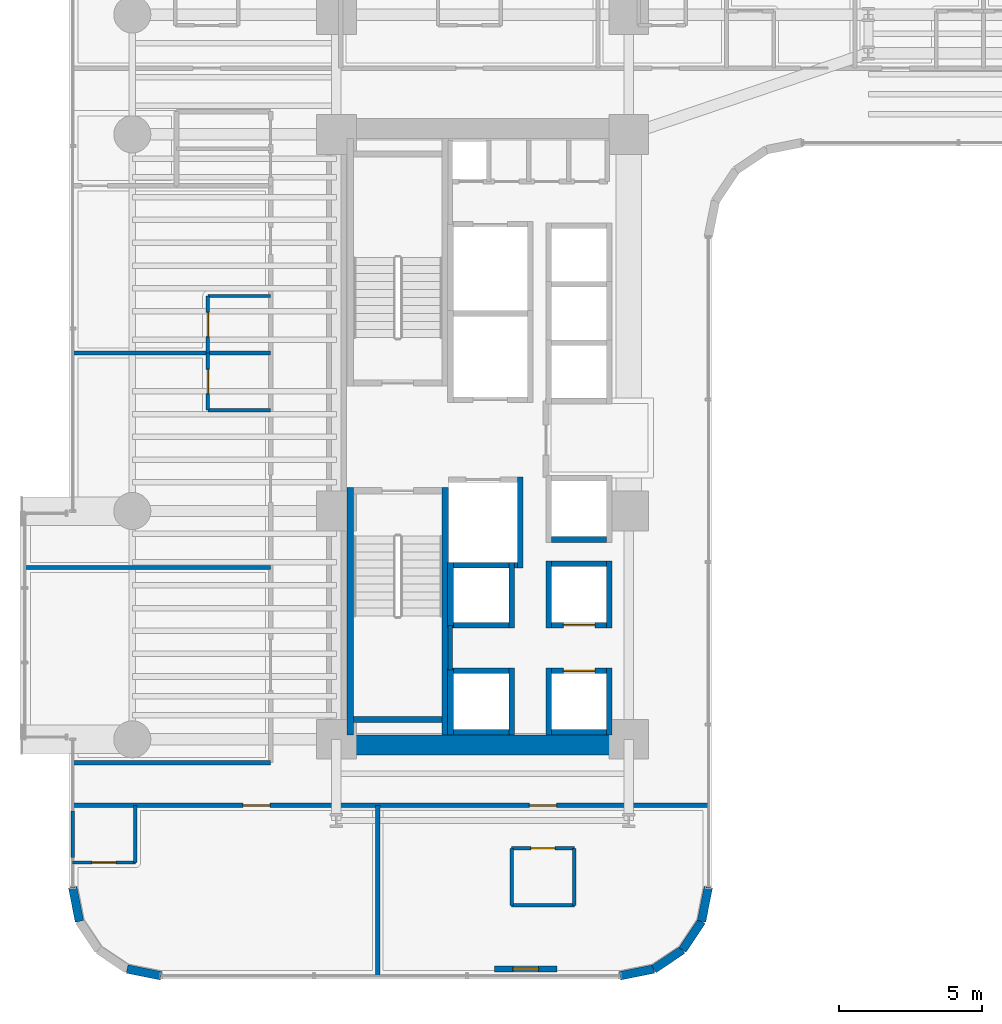
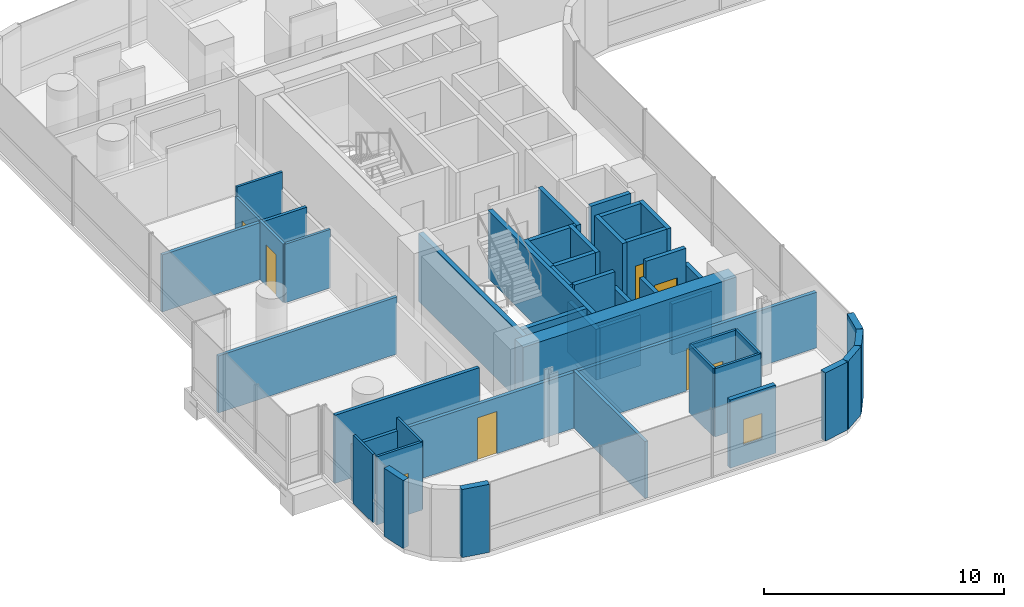
# One storey, part 30 of 40: 46 walls, 8 doors, 1 window, 9 openings.
"""IFC4 building model written with IfcOpenShell, lengths in metres."""

from ifc_helpers import new_model, si_unit, direction, frame, frame_2d, origin, place, context, subcontext, project, spatial, rectangle, extrude, material, layer, layer_set, type_object, element, fill, save


model = new_model("IFC4")

# Units and contexts
model_context = context("Model", 3, precision=1e-05, world=origin(), true_north=direction((0.0, 1.0)))
body_context = subcontext(model_context, "Body", "Model", "MODEL_VIEW")
ifc_project = project(units=[si_unit("LENGTHUNIT", "METRE"), si_unit("AREAUNIT", "SQUARE_METRE"), si_unit("VOLUMEUNIT", "CUBIC_METRE"), si_unit("PLANEANGLEUNIT", "RADIAN"), si_unit("MASSUNIT", "GRAM", prefix="KILO")], contexts=[model_context])

# Site, building, storey
site_placement = place(None, origin())
site = spatial("IfcSite", under=ifc_project, at=site_placement, CompositionType="ELEMENT")
building_placement = place(site_placement, origin())
building = spatial("IfcBuilding", under=site, at=building_placement, Name="Valdorenza Pilgrim Sanctuary Tower", CompositionType="ELEMENT")
storey_placement = place(building_placement, frame((0.0, 0.0, 92.60009765625)))
storey = spatial("IfcBuildingStorey", under=building, at=storey_placement, Name="L23", CompositionType="ELEMENT", Elevation=92.60009765625)

# Wall
ifc_material_1 = material(Name="Acoustic twin-stud gypsum partition", Category="gypsum")
ifc_layer_1 = layer(ifc_material_1, 0.159912109375, Name="Acoustic twin-stud gypsum partition")
ifc_layer_set_1 = layer_set([ifc_layer_1], Name="Acoustic twin-stud gypsum partition")
wall_type_1 = type_object("IfcWallType", Name="WAL-COR-160", PredefinedType="PARTITIONING", material=ifc_layer_set_1)
wall_1_placement = place(storey_placement, frame((-18.64990234375, -8.179931640625, 0.0), z_axis=(0.0, 0.0, 1.0), x_axis=(0.0, 1.0, 0.0)))
element("IfcWall", 1, at=wall_1_placement, inside=storey, type_object=wall_type_1, Name="L23 Core A South Lift Hall West Wall", PredefinedType="PARTITIONING", context=body_context, shape_type="SweptSolid", body=[
    extrude(rectangle(XDim=1.559814453125, YDim=0.159912109375, at=frame_2d((0.77978515625, 0.0))), origin(), (0.0, 0.0, 1.0), 3.4599609375),
])

# Wall, openings, doors
wall_2_placement = place(storey_placement, frame((-31.889892578125, -12.919921875, 0.0), z_axis=(0.0, 0.0, 1.0), x_axis=(1.0, 0.0, 0.0)))
wall_2 = element("IfcWall", 2, at=wall_2_placement, inside=storey, type_object=wall_type_1, Name="L23 South Wing Corridor Wall", PredefinedType="PARTITIONING", context=body_context, shape_type="SweptSolid", body=[
    extrude(rectangle(XDim=22.27978515625, YDim=0.159912109375, at=frame_2d((11.139892578125, 0.0))), origin(), (0.0, 0.0, 1.0), 2.833984375),
])
opening_1_placement = place(wall_2_placement, frame((5.969970703125, 0.0, 0.0)))
opening_1 = element("IfcOpeningElement", 3, at=opening_1_placement, cuts=wall_2, Name="Opening DR-UN1", PredefinedType="OPENING", context=body_context, shape_type="SweptSolid", body=[
    extrude(rectangle(XDim=0.949951171875, YDim=2.14990234375, at=frame_2d((0.47509765625, 1.074951171875))), frame((0.0, 0.0947265625, 0.0), z_axis=(0.0, -1.0, 0.0), x_axis=(1.0, 0.0, 0.0)), (0.0, 0.0, 1.0), 0.189697265625),
])
opening_2_placement = place(wall_2_placement, frame((16.010009765625, 0.0, 0.0)))
opening_2 = element("IfcOpeningElement", 4, at=opening_2_placement, cuts=wall_2, Name="Opening DR-UN1", PredefinedType="OPENING", context=body_context, shape_type="SweptSolid", body=[
    extrude(rectangle(XDim=0.949951171875, YDim=2.14990234375, at=frame_2d((0.47509765625, 1.074951171875))), frame((0.0, 0.0947265625, 0.0), z_axis=(0.0, -1.0, 0.0), x_axis=(1.0, 0.0, 0.0)), (0.0, 0.0, 1.0), 0.189697265625),
])
ifc_material_2 = material(Name="Solid-core European oak timber", Category="wood")
door_type_1 = type_object("IfcDoorType", Name="DR-UNIT-950", OperationType="NOTDEFINED", PredefinedType="DOOR", material=ifc_material_2)
door_1_placement = place(opening_1_placement, frame((0.949951171875, 0.0, 0.0), z_axis=(0.0, 0.0, 1.0), x_axis=(-1.0, 0.0, 0.0)))
door_1 = element("IfcDoor", 5, at=door_1_placement, inside=storey, type_object=door_type_1, Name="L23 South Guest Room L23-S1 Entrance Door", OperationType="SINGLE_SWING_LEFT", OverallHeight=2.14990234375, OverallWidth=0.949951171875, PredefinedType="DOOR", context=body_context, shape_type="SweptSolid", body=[
    extrude(rectangle(XDim=0.949951171875, YDim=2.14990234375, at=frame_2d((0.47509765625, 1.074951171875))), frame((0.0, 0.02490234375, 0.0), z_axis=(0.0, -1.0, 0.0), x_axis=(1.0, 0.0, 0.0)), (0.0, 0.0, 1.0), 0.050048828125),
])
fill(opening_1, door_1)
door_2_placement = place(opening_2_placement, frame((0.949951171875, 0.0, 0.0), z_axis=(0.0, 0.0, 1.0), x_axis=(-1.0, 0.0, 0.0)))
door_2 = element("IfcDoor", 6, at=door_2_placement, inside=storey, type_object=door_type_1, Name="L23 South Guest Room L23-S2 Entrance Door", OperationType="SINGLE_SWING_LEFT", OverallHeight=2.14990234375, OverallWidth=0.949951171875, PredefinedType="DOOR", context=body_context, shape_type="SweptSolid", body=[
    extrude(rectangle(XDim=0.949951171875, YDim=2.14990234375, at=frame_2d((0.47509765625, 1.074951171875))), frame((0.0, 0.02490234375, 0.0), z_axis=(0.0, -1.0, 0.0), x_axis=(1.0, 0.0, 0.0)), (0.0, 0.0, 1.0), 0.050048828125),
])
fill(opening_2, door_2)

# Walls
wall_3_placement = place(storey_placement, frame((-31.889892578125, -11.419921875, 0.0), z_axis=(0.0, 0.0, 1.0), x_axis=(1.0, 0.0, 0.0)))
element("IfcWall", 7, at=wall_3_placement, inside=storey, type_object=wall_type_1, Name="L23 South-West Corridor North Wall", PredefinedType="PARTITIONING", context=body_context, shape_type="SweptSolid", body=[
    extrude(rectangle(XDim=6.93994140625, YDim=0.159912109375, at=frame_2d((3.469970703125, 0.0))), origin(), (0.0, 0.0, 1.0), 3.4599609375),
])
ifc_material_3 = material(Name="Concrete C60/75", Category="concrete")
ifc_layer_2 = layer(ifc_material_3, 0.699951171875, Name="Concrete C60/75")
ifc_layer_set_2 = layer_set([ifc_layer_2], Name="Concrete C60/75")
wall_type_2 = type_object("IfcWallType", Name="WAL-COR-700", PredefinedType="SHEAR", material=ifc_layer_set_2)
wall_4_placement = place(storey_placement, frame((-22.64990234375, -10.800048828125, 0.0), z_axis=(0.0, 0.0, 1.0), x_axis=(1.0, 0.0, 0.0)))
element("IfcWall", 8, at=wall_4_placement, inside=storey, type_object=wall_type_2, Name="L23 Split Core A Shear Wall S", PredefinedType="SHEAR", context=body_context, shape_type="SweptSolid", body=[
    extrude(rectangle(XDim=10.25, YDim=0.699951171875, at=frame_2d((5.125, 0.0))), origin(), (0.0, 0.0, 1.0), 3.4599609375),
])
ifc_material_4 = material(Name="Honed travertine limestone", Category="masonry")
ifc_layer_3 = layer(ifc_material_4, 0.300048828125, Name="Honed travertine limestone")
ifc_layer_set_3 = layer_set([ifc_layer_3], Name="Honed travertine limestone")
wall_type_3 = type_object("IfcWallType", Name="WAL-EXT-300", PredefinedType="SOLIDWALL", material=ifc_layer_set_3)
wall_5_placement = place(storey_placement, frame((-9.610107421875, -15.789306640625, 0.0), z_axis=(0.0, 0.0, 1.0), x_axis=(-0.194996050505, -0.980804027463, 0.0)))
element("IfcWall", 9, at=wall_5_placement, inside=storey, type_object=wall_type_3, Name="L23 Rounded Wind-Corner Stone Pier 42", PredefinedType="SOLIDWALL", context=body_context, shape_type="SweptSolid", body=[
    extrude(rectangle(XDim=1.2158203125, YDim=0.300048828125, at=frame_2d((0.60791015625, 0.0))), origin(), (0.0, 0.0, 1.0), 3.4599609375),
])
for number, where, z_axis, x_axis, name in (
    (10, (-9.84716796875, -16.981689453125, 0.0), (0.0, 0.0, 1.0), (-0.555635100982, -0.831426265255, 0.0), "L23 Rounded Wind-Corner Stone Pier 43"),
    (11, (-10.5166015625, -17.9833984375, 0.0), (0.0, 0.0, 1.0), (-0.831426265255, -0.555635100982, 0.0), "L23 Rounded Wind-Corner Stone Pier 44"),
):
    element("IfcWall", number, at=place(storey_placement, frame(where, z_axis=z_axis, x_axis=x_axis)), inside=storey, type_object=wall_type_3, Name=name, PredefinedType="SOLIDWALL", context=body_context, shape_type="SweptSolid", body=[
        extrude(rectangle(XDim=1.204833984375, YDim=0.300048828125, at=frame_2d((0.6025390625, 0.0))), origin(), (0.0, 0.0, 1.0), 3.4599609375),
    ])
wall_6_placement = place(storey_placement, frame((-11.518310546875, -18.65283203125, 0.0), z_axis=(0.0, 0.0, 1.0), x_axis=(-0.980804027463, -0.194996050505, 0.0)))
element("IfcWall", 12, at=wall_6_placement, inside=storey, type_object=wall_type_3, Name="L23 Rounded Wind-Corner Stone Pier 45", PredefinedType="SOLIDWALL", context=body_context, shape_type="SweptSolid", body=[
    extrude(rectangle(XDim=1.2158203125, YDim=0.300048828125, at=frame_2d((0.60791015625, 0.0))), origin(), (0.0, 0.0, 1.0), 3.4599609375),
])

# Wall, opening, window
wall_7_placement = place(storey_placement, frame((-14.910888671875, -18.64990234375, 0.0), z_axis=(0.0, 0.0, 1.0), x_axis=(-1.0, 0.0, 0.0)))
wall_7 = element("IfcWall", 13, at=wall_7_placement, inside=storey, type_object=wall_type_3, Name="L23 Operable Ventilation Sash Jamb Pier", PredefinedType="SOLIDWALL", context=body_context, shape_type="SweptSolid", body=[
    extrude(rectangle(XDim=2.199951171875, YDim=0.219970703125, at=frame_2d((1.10009765625, 0.0))), origin(), (0.0, 0.0, 1.0), 3.4599609375),
])
opening_3_placement = place(wall_7_placement, frame((0.64990234375, 0.0, 0.949951171875)))
opening_3 = element("IfcOpeningElement", 14, at=opening_3_placement, cuts=wall_7, Name="Opening WN-OP1", PredefinedType="OPENING", context=body_context, shape_type="SweptSolid", body=[
    extrude(rectangle(XDim=0.89990234375, YDim=1.300048828125, at=frame_2d((0.449951171875, 0.64990234375))), frame((0.0, 0.125, 0.0), z_axis=(0.0, -1.0, 0.0), x_axis=(1.0, 0.0, 0.0)), (0.0, 0.0, 1.0), 0.249755859375),
])
ifc_material_5 = material(Name="Ceramic-fritted low-E IGU glazing", Category="glass")
window_type = type_object("IfcWindowType", Name="WIN-OPN-900", PartitioningType="SINGLE_PANEL", PredefinedType="WINDOW", material=ifc_material_5)
window_placement = place(opening_3_placement, origin())
window = element("IfcWindow", 15, at=window_placement, inside=storey, type_object=window_type, Name="L23 Parallel-Pop-Out Operable Facade Panel", OverallHeight=1.300048828125, OverallWidth=0.89990234375, PartitioningType="SINGLE_PANEL", PredefinedType="WINDOW", context=body_context, shape_type="SweptSolid", body=[
    extrude(rectangle(XDim=0.89990234375, YDim=1.300048828125, at=frame_2d((0.449951171875, 0.64990234375))), frame((0.0, 0.030029296875, 0.0), z_axis=(0.0, -1.0, 0.0), x_axis=(1.0, 0.0, 0.0)), (0.0, 0.0, 1.0), 0.06005859375),
])
fill(opening_3, window)

# Walls
for number, where, z_axis, x_axis, name in (
    (16, (-28.789306640625, -18.889892578125, 0.0), (0.0, 0.0, 1.0), (-0.980804027463, 0.194996050505, 0.0), "L23 Rounded Wind-Corner Stone Pier 47"),
    (17, (-31.65283203125, -16.981689453125, 0.0), (0.0, 0.0, 1.0), (-0.194996050505, 0.980804027463, 0.0), "L23 Rounded Wind-Corner Stone Pier 50"),
):
    element("IfcWall", number, at=place(storey_placement, frame(where, z_axis=z_axis, x_axis=x_axis)), inside=storey, type_object=wall_type_3, Name=name, PredefinedType="SOLIDWALL", context=body_context, shape_type="SweptSolid", body=[
        extrude(rectangle(XDim=1.2158203125, YDim=0.300048828125, at=frame_2d((0.60791015625, 0.0))), origin(), (0.0, 0.0, 1.0), 3.4599609375),
    ])
ifc_material_6 = material(Name="Moisture-resistant gypsum partition", Category="gypsum")
ifc_layer_4 = layer(ifc_material_6, 0.1201171875, Name="Moisture-resistant gypsum partition")
ifc_layer_set_4 = layer_set([ifc_layer_4], Name="Moisture-resistant gypsum partition")
wall_type_4 = type_object("IfcWallType", Name="WAL-INT-120", PredefinedType="PARTITIONING", material=ifc_layer_set_4)
wall_8_placement = place(storey_placement, frame((-27.14990234375, 0.93603515625, 0.0), z_axis=(0.0, 0.0, 1.0), x_axis=(1.0, 0.0, 0.0)))
element("IfcWall", 18, at=wall_8_placement, inside=storey, type_object=wall_type_4, Name="L23 Pilgrim Guest Room L23-HW1 En-suite South Wall", PredefinedType="PARTITIONING", context=body_context, shape_type="SweptSolid", body=[
    extrude(rectangle(XDim=2.199951171875, YDim=0.1201171875, at=frame_2d((1.10009765625, 0.0))), origin(), (0.0, 0.0, 1.0), 2.97900390625),
])

# Wall, opening, door
wall_9_placement = place(storey_placement, frame((-27.14990234375, 0.93603515625, 0.0), z_axis=(0.0, 0.0, 1.0), x_axis=(0.0, 1.0, 0.0)))
wall_9 = element("IfcWall", 19, at=wall_9_placement, inside=storey, type_object=wall_type_4, Name="L23 Pilgrim Guest Room L23-HW1 En-suite Door Wall", PredefinedType="PARTITIONING", context=body_context, shape_type="SweptSolid", body=[
    extrude(rectangle(XDim=2.0, YDim=0.1201171875, at=frame_2d((1.0, 0.0))), origin(), (0.0, 0.0, 1.0), 2.97900390625),
])
opening_4_placement = place(wall_9_placement, frame((0.574951171875, 0.0, 0.0)))
opening_4 = element("IfcOpeningElement", 20, at=opening_4_placement, cuts=wall_9, Name="Opening DR-WC1", PredefinedType="OPENING", context=body_context, shape_type="SweptSolid", body=[
    extrude(rectangle(XDim=0.85009765625, YDim=2.10009765625, at=frame_2d((0.425048828125, 1.050048828125))), frame((0.0, 0.074951171875, 0.0), z_axis=(0.0, -1.0, 0.0), x_axis=(1.0, 0.0, 0.0)), (0.0, 0.0, 1.0), 0.14990234375),
])
ifc_material_7 = material(Name="Moisture-resistant lacquered timber", Category="wood")
door_type_2 = type_object("IfcDoorType", Name="DR-BATH-850", OperationType="NOTDEFINED", PredefinedType="DOOR", material=ifc_material_7)
door_3_placement = place(opening_4_placement, origin())
door_3 = element("IfcDoor", 21, at=door_3_placement, inside=storey, type_object=door_type_2, Name="L23 Pilgrim Guest Room L23-HW1 En-suite Bathroom Door", OperationType="SINGLE_SWING_RIGHT", OverallHeight=2.10009765625, OverallWidth=0.85009765625, PredefinedType="DOOR", context=body_context, shape_type="SweptSolid", body=[
    extrude(rectangle(XDim=0.85009765625, YDim=2.10009765625, at=frame_2d((0.425048828125, 1.050048828125))), frame((0.0, 0.02490234375, 0.0), z_axis=(0.0, -1.0, 0.0), x_axis=(1.0, 0.0, 0.0)), (0.0, 0.0, 1.0), 0.050048828125),
])
fill(opening_4, door_3)

# Wall
wall_10_placement = place(storey_placement, frame((-27.14990234375, 4.93603515625, 0.0), z_axis=(0.0, 0.0, 1.0), x_axis=(1.0, 0.0, 0.0)))
element("IfcWall", 22, at=wall_10_placement, inside=storey, type_object=wall_type_4, Name="L23 Pilgrim Guest Room L23-HW2 En-suite North Wall", PredefinedType="PARTITIONING", context=body_context, shape_type="SweptSolid", body=[
    extrude(rectangle(XDim=2.199951171875, YDim=0.1201171875, at=frame_2d((1.10009765625, 0.0))), origin(), (0.0, 0.0, 1.0), 3.4599609375),
])

# Wall, opening, door
wall_11_placement = place(storey_placement, frame((-27.14990234375, 2.93603515625, 0.0), z_axis=(0.0, 0.0, 1.0), x_axis=(0.0, 1.0, 0.0)))
wall_11 = element("IfcWall", 23, at=wall_11_placement, inside=storey, type_object=wall_type_4, Name="L23 Pilgrim Guest Room L23-HW2 En-suite Door Wall", PredefinedType="PARTITIONING", context=body_context, shape_type="SweptSolid", body=[
    extrude(rectangle(XDim=2.0, YDim=0.1201171875, at=frame_2d((1.0, 0.0))), origin(), (0.0, 0.0, 1.0), 2.97900390625),
])
opening_5_placement = place(wall_11_placement, frame((0.574951171875, 0.0, 0.0)))
opening_5 = element("IfcOpeningElement", 24, at=opening_5_placement, cuts=wall_11, Name="Opening DR-WC1", PredefinedType="OPENING", context=body_context, shape_type="SweptSolid", body=[
    extrude(rectangle(XDim=0.85009765625, YDim=2.10009765625, at=frame_2d((0.425048828125, 1.050048828125))), frame((0.0, 0.074951171875, 0.0), z_axis=(0.0, -1.0, 0.0), x_axis=(1.0, 0.0, 0.0)), (0.0, 0.0, 1.0), 0.14990234375),
])
door_4_placement = place(opening_5_placement, origin())
door_4 = element("IfcDoor", 25, at=door_4_placement, inside=storey, type_object=door_type_2, Name="L23 Pilgrim Guest Room L23-HW2 En-suite Bathroom Door", OperationType="SINGLE_SWING_RIGHT", OverallHeight=2.10009765625, OverallWidth=0.85009765625, PredefinedType="DOOR", context=body_context, shape_type="SweptSolid", body=[
    extrude(rectangle(XDim=0.85009765625, YDim=2.10009765625, at=frame_2d((0.425048828125, 1.050048828125))), frame((0.0, 0.02490234375, 0.0), z_axis=(0.0, -1.0, 0.0), x_axis=(1.0, 0.0, 0.0)), (0.0, 0.0, 1.0), 0.050048828125),
])
fill(opening_5, door_4)

# Wall
wall_12_placement = place(storey_placement, frame((-29.68994140625, -14.919921875, 0.0), z_axis=(0.0, 0.0, 1.0), x_axis=(0.0, 1.0, 0.0)))
element("IfcWall", 26, at=wall_12_placement, inside=storey, type_object=wall_type_4, Name="L23 South Guest Room L23-S1 En-suite East Wall", PredefinedType="PARTITIONING", context=body_context, shape_type="SweptSolid", body=[
    extrude(rectangle(XDim=2.0, YDim=0.1201171875, at=frame_2d((1.0, 0.0))), origin(), (0.0, 0.0, 1.0), 3.4599609375),
])

# Wall, opening, door
wall_13_placement = place(storey_placement, frame((-31.889892578125, -14.919921875, 0.0), z_axis=(0.0, 0.0, 1.0), x_axis=(1.0, 0.0, 0.0)))
wall_13 = element("IfcWall", 27, at=wall_13_placement, inside=storey, type_object=wall_type_4, Name="L23 South Guest Room L23-S1 En-suite Door Wall", PredefinedType="PARTITIONING", context=body_context, shape_type="SweptSolid", body=[
    extrude(rectangle(XDim=2.199951171875, YDim=0.1201171875, at=frame_2d((1.10009765625, 0.0))), origin(), (0.0, 0.0, 1.0), 3.4599609375),
])
opening_6_placement = place(wall_13_placement, frame((0.675048828125, 0.0, 0.0)))
opening_6 = element("IfcOpeningElement", 28, at=opening_6_placement, cuts=wall_13, Name="Opening DR-WC1", PredefinedType="OPENING", context=body_context, shape_type="SweptSolid", body=[
    extrude(rectangle(XDim=0.85009765625, YDim=2.10009765625, at=frame_2d((0.425048828125, 1.050048828125))), frame((0.0, 0.074951171875, 0.0), z_axis=(0.0, -1.0, 0.0), x_axis=(1.0, 0.0, 0.0)), (0.0, 0.0, 1.0), 0.14990234375),
])
door_5_placement = place(opening_6_placement, origin())
door_5 = element("IfcDoor", 29, at=door_5_placement, inside=storey, type_object=door_type_2, Name="L23 South Guest Room L23-S1 En-suite Bathroom Door", OperationType="SINGLE_SWING_RIGHT", OverallHeight=2.10009765625, OverallWidth=0.85009765625, PredefinedType="DOOR", context=body_context, shape_type="SweptSolid", body=[
    extrude(rectangle(XDim=0.85009765625, YDim=2.10009765625, at=frame_2d((0.425048828125, 1.050048828125))), frame((0.0, 0.02490234375, 0.0), z_axis=(0.0, -1.0, 0.0), x_axis=(1.0, 0.0, 0.0)), (0.0, 0.0, 1.0), 0.050048828125),
])
fill(opening_6, door_5)

# Walls
wall_14_placement = place(storey_placement, frame((-31.889892578125, -14.739990234375, 0.0), z_axis=(0.0, 0.0, 1.0), x_axis=(0.0, 1.0, 0.0)))
element("IfcWall", 30, at=wall_14_placement, inside=storey, type_object=wall_type_4, Name="L23 SW-G1-ENS Enclosure Wall W", PredefinedType="PARTITIONING", context=body_context, shape_type="SweptSolid", body=[
    extrude(rectangle(XDim=1.619873046875, YDim=0.1201171875, at=frame_2d((0.81005859375, 0.0))), origin(), (0.0, 0.0, 1.0), 3.4599609375),
])
for number, where, z_axis, x_axis, name in (
    (31, (-16.5048828125, -16.419921875, 0.0), (0.0, 0.0, 1.0), (0.0, 1.0, 0.0), "L23 South Guest Room L23-S2 En-suite West Wall"),
    (32, (-14.304931640625, -16.419921875, 0.0), (0.0, 0.0, 1.0), (0.0, 1.0, 0.0), "L23 South Guest Room L23-S2 En-suite East Wall"),
):
    element("IfcWall", number, at=place(storey_placement, frame(where, z_axis=z_axis, x_axis=x_axis)), inside=storey, type_object=wall_type_4, Name=name, PredefinedType="PARTITIONING", context=body_context, shape_type="SweptSolid", body=[
        extrude(rectangle(XDim=2.0, YDim=0.1201171875, at=frame_2d((1.0, 0.0))), origin(), (0.0, 0.0, 1.0), 3.4599609375),
    ])
wall_15_placement = place(storey_placement, frame((-16.5048828125, -16.419921875, 0.0), z_axis=(0.0, 0.0, 1.0), x_axis=(1.0, 0.0, 0.0)))
element("IfcWall", 33, at=wall_15_placement, inside=storey, type_object=wall_type_4, Name="L23 South Guest Room L23-S2 En-suite Back Wall", PredefinedType="PARTITIONING", context=body_context, shape_type="SweptSolid", body=[
    extrude(rectangle(XDim=2.199951171875, YDim=0.1201171875, at=frame_2d((1.10009765625, 0.0))), origin(), (0.0, 0.0, 1.0), 3.4599609375),
])

# Wall, opening, door
wall_16_placement = place(storey_placement, frame((-16.5048828125, -14.419921875, 0.0), z_axis=(0.0, 0.0, 1.0), x_axis=(1.0, 0.0, 0.0)))
wall_16 = element("IfcWall", 34, at=wall_16_placement, inside=storey, type_object=wall_type_4, Name="L23 South Guest Room L23-S2 En-suite Door Wall", PredefinedType="PARTITIONING", context=body_context, shape_type="SweptSolid", body=[
    extrude(rectangle(XDim=2.199951171875, YDim=0.1201171875, at=frame_2d((1.10009765625, 0.0))), origin(), (0.0, 0.0, 1.0), 3.4599609375),
])
opening_7_placement = place(wall_16_placement, frame((0.675048828125, 0.0, 0.0)))
opening_7 = element("IfcOpeningElement", 35, at=opening_7_placement, cuts=wall_16, Name="Opening DR-WC1", PredefinedType="OPENING", context=body_context, shape_type="SweptSolid", body=[
    extrude(rectangle(XDim=0.85009765625, YDim=2.10009765625, at=frame_2d((0.425048828125, 1.050048828125))), frame((0.0, 0.074951171875, 0.0), z_axis=(0.0, -1.0, 0.0), x_axis=(1.0, 0.0, 0.0)), (0.0, 0.0, 1.0), 0.14990234375),
])
door_6_placement = place(opening_7_placement, origin())
door_6 = element("IfcDoor", 36, at=door_6_placement, inside=storey, type_object=door_type_2, Name="L23 South Guest Room L23-S2 En-suite Bathroom Door", OperationType="SINGLE_SWING_RIGHT", OverallHeight=2.10009765625, OverallWidth=0.85009765625, PredefinedType="DOOR", context=body_context, shape_type="SweptSolid", body=[
    extrude(rectangle(XDim=0.85009765625, YDim=2.10009765625, at=frame_2d((0.425048828125, 1.050048828125))), frame((0.0, 0.02490234375, 0.0), z_axis=(0.0, -1.0, 0.0), x_axis=(1.0, 0.0, 0.0)), (0.0, 0.0, 1.0), 0.050048828125),
])
fill(opening_7, door_6)

# Walls
ifc_material_8 = material(Name="Autoclaved aerated concrete blockwork", Category="masonry")
ifc_layer_5 = layer(ifc_material_8, 0.199951171875, Name="Autoclaved aerated concrete blockwork")
ifc_layer_set_5 = layer_set([ifc_layer_5], Name="Autoclaved aerated concrete blockwork")
wall_type_5 = type_object("IfcWallType", Name="WAL-SHF-200", PredefinedType="MOVABLE", material=ifc_layer_set_5)
wall_17_placement = place(storey_placement, frame((-16.199951171875, -4.60009765625, 0.0), z_axis=(0.0, 0.0, 1.0), x_axis=(0.0, 1.0, 0.0)))
element("IfcWall", 37, at=wall_17_placement, inside=storey, type_object=wall_type_5, Name="L23 Lift FFL-02 Hoistway Wall East", PredefinedType="MOVABLE", context=body_context, shape_type="SweptSolid", body=[
    extrude(rectangle(XDim=3.2001953125, YDim=0.199951171875, at=frame_2d((1.60009765625, 0.0))), origin(), (0.0, 0.0, 1.0), 3.4599609375),
])
wall_18_placement = place(storey_placement, frame((-18.719970703125, -4.5, 0.0), z_axis=(0.0, 0.0, 1.0), x_axis=(1.0, 0.0, 0.0)))
element("IfcWall", 38, at=wall_18_placement, inside=storey, type_object=wall_type_5, Name="L23 Lift FFL-02 Hoistway Wall South", PredefinedType="MOVABLE", context=body_context, shape_type="SweptSolid", body=[
    extrude(rectangle(XDim=2.419921875, YDim=0.199951171875, at=frame_2d((1.2099609375, 0.0))), origin(), (0.0, 0.0, 1.0), 3.4599609375),
])
for number, where, z_axis, x_axis, name in (
    (39, (-15.199951171875, -10.449951171875, 0.0), (0.0, 0.0, 1.0), (0.0, 1.0, 0.0), "L23 Lift PL-01 Hoistway Wall West"),
    (40, (-13.080078125, -10.449951171875, 0.0), (0.0, 0.0, 1.0), (0.0, 1.0, 0.0), "L23 Lift PL-01 Hoistway Wall East"),
):
    element("IfcWall", number, at=place(storey_placement, frame(where, z_axis=z_axis, x_axis=x_axis)), inside=storey, type_object=wall_type_5, Name=name, PredefinedType="MOVABLE", context=body_context, shape_type="SweptSolid", body=[
        extrude(rectangle(XDim=2.349853515625, YDim=0.199951171875, at=frame_2d((1.1748046875, 0.0))), origin(), (0.0, 0.0, 1.0), 2.5830078125),
    ])
wall_19_placement = place(storey_placement, frame((-15.10009765625, -10.35009765625, 0.0), z_axis=(0.0, 0.0, 1.0), x_axis=(1.0, 0.0, 0.0)))
element("IfcWall", 41, at=wall_19_placement, inside=storey, type_object=wall_type_5, Name="L23 Lift PL-01 Hoistway Wall South", PredefinedType="MOVABLE", context=body_context, shape_type="SweptSolid", body=[
    extrude(rectangle(XDim=1.920166015625, YDim=0.199951171875, at=frame_2d((0.9599609375, 0.0))), origin(), (0.0, 0.0, 1.0), 2.5830078125),
])

# Wall, opening, door
wall_20_placement = place(storey_placement, frame((-15.10009765625, -8.199951171875, 0.0), z_axis=(0.0, 0.0, 1.0), x_axis=(1.0, 0.0, 0.0)))
wall_20 = element("IfcWall", 42, at=wall_20_placement, inside=storey, type_object=wall_type_5, Name="L23 Lift PL-01 Hoistway Wall North", PredefinedType="MOVABLE", context=body_context, shape_type="SweptSolid", body=[
    extrude(rectangle(XDim=1.920166015625, YDim=0.199951171875, at=frame_2d((0.9599609375, 0.0))), origin(), (0.0, 0.0, 1.0), 3.4599609375),
])
opening_8_placement = place(wall_20_placement, frame((0.409912109375, 0.0, 0.0)))
opening_8 = element("IfcOpeningElement", 43, at=opening_8_placement, cuts=wall_20, Name="Opening LD-01", PredefinedType="OPENING", context=body_context, shape_type="SweptSolid", body=[
    extrude(rectangle(XDim=1.10009765625, YDim=2.10009765625, at=frame_2d((0.550048828125, 1.050048828125))), frame((0.0, 0.11474609375, 0.0), z_axis=(0.0, -1.0, 0.0), x_axis=(1.0, 0.0, 0.0)), (0.0, 0.0, 1.0), 0.229736328125),
])
ifc_material_9 = material(Name="Brushed stainless steel Grade 316", Category="steel")
door_type_3 = type_object("IfcDoorType", Name="DR-LFT-1100", OperationType="DOUBLE_DOOR_SLIDING", PredefinedType="DOOR", material=ifc_material_9)
door_7_placement = place(opening_8_placement, origin())
door_7 = element("IfcDoor", 44, at=door_7_placement, inside=storey, type_object=door_type_3, Name="L23 Lift PL-01 Sliding Landing Door", OperationType="DOUBLE_DOOR_SLIDING", OverallHeight=2.10009765625, OverallWidth=1.10009765625, PredefinedType="DOOR", context=body_context, shape_type="SweptSolid", body=[
    extrude(rectangle(XDim=1.10009765625, YDim=2.10009765625, at=frame_2d((0.550048828125, 1.050048828125))), frame((0.0, 0.02490234375, 0.0), z_axis=(0.0, -1.0, 0.0), x_axis=(1.0, 0.0, 0.0)), (0.0, 0.0, 1.0), 0.050048828125),
])
fill(opening_8, door_7)

# Walls
for number, where, z_axis, x_axis, name in (
    (45, (-15.199951171875, -6.699951171875, 0.0), (0.0, 0.0, 1.0), (0.0, 1.0, 0.0), "L23 Lift PL-02 Hoistway Wall West"),
    (46, (-13.080078125, -6.699951171875, 0.0), (0.0, 0.0, 1.0), (0.0, 1.0, 0.0), "L23 Lift PL-02 Hoistway Wall East"),
):
    element("IfcWall", number, at=place(storey_placement, frame(where, z_axis=z_axis, x_axis=x_axis)), inside=storey, type_object=wall_type_5, Name=name, PredefinedType="MOVABLE", context=body_context, shape_type="SweptSolid", body=[
        extrude(rectangle(XDim=2.349853515625, YDim=0.199951171875, at=frame_2d((1.1748046875, 0.0))), origin(), (0.0, 0.0, 1.0), 3.4599609375),
    ])

# Wall, opening, door
wall_21_placement = place(storey_placement, frame((-15.10009765625, -6.60009765625, 0.0), z_axis=(0.0, 0.0, 1.0), x_axis=(1.0, 0.0, 0.0)))
wall_21 = element("IfcWall", 47, at=wall_21_placement, inside=storey, type_object=wall_type_5, Name="L23 Lift PL-02 Hoistway Wall South", PredefinedType="MOVABLE", context=body_context, shape_type="SweptSolid", body=[
    extrude(rectangle(XDim=1.920166015625, YDim=0.199951171875, at=frame_2d((0.9599609375, 0.0))), origin(), (0.0, 0.0, 1.0), 3.4599609375),
])
opening_9_placement = place(wall_21_placement, frame((0.409912109375, 0.0, 0.0)))
opening_9 = element("IfcOpeningElement", 48, at=opening_9_placement, cuts=wall_21, Name="Opening LD-01", PredefinedType="OPENING", context=body_context, shape_type="SweptSolid", body=[
    extrude(rectangle(XDim=1.10009765625, YDim=2.10009765625, at=frame_2d((0.550048828125, 1.050048828125))), frame((0.0, 0.11474609375, 0.0), z_axis=(0.0, -1.0, 0.0), x_axis=(1.0, 0.0, 0.0)), (0.0, 0.0, 1.0), 0.229736328125),
])
door_8_placement = place(opening_9_placement, origin())
door_8 = element("IfcDoor", 49, at=door_8_placement, inside=storey, type_object=door_type_3, Name="L23 Lift PL-02 Sliding Landing Door", OperationType="DOUBLE_DOOR_SLIDING", OverallHeight=2.10009765625, OverallWidth=1.10009765625, PredefinedType="DOOR", context=body_context, shape_type="SweptSolid", body=[
    extrude(rectangle(XDim=1.10009765625, YDim=2.10009765625, at=frame_2d((0.550048828125, 1.050048828125))), frame((0.0, 0.02490234375, 0.0), z_axis=(0.0, -1.0, 0.0), x_axis=(1.0, 0.0, 0.0)), (0.0, 0.0, 1.0), 0.050048828125),
])
fill(opening_9, door_8)

# Walls
wall_22_placement = place(storey_placement, frame((-15.10009765625, -4.449951171875, 0.0), z_axis=(0.0, 0.0, 1.0), x_axis=(1.0, 0.0, 0.0)))
element("IfcWall", 50, at=wall_22_placement, inside=storey, type_object=wall_type_5, Name="L23 Lift PL-02 Hoistway Wall North", PredefinedType="MOVABLE", context=body_context, shape_type="SweptSolid", body=[
    extrude(rectangle(XDim=1.920166015625, YDim=0.199951171875, at=frame_2d((0.9599609375, 0.0))), origin(), (0.0, 0.0, 1.0), 3.4599609375),
])
for number, where, z_axis, x_axis, name in (
    (51, (-18.64990234375, -10.449951171875, 0.0), (0.0, 0.0, 1.0), (0.0, 1.0, 0.0), "L23 Lift PL-05 Hoistway Wall West"),
    (52, (-16.5, -10.449951171875, 0.0), (0.0, 0.0, 1.0), (0.0, 1.0, 0.0), "L23 Lift PL-05 Hoistway Wall East"),
):
    element("IfcWall", number, at=place(storey_placement, frame(where, z_axis=z_axis, x_axis=x_axis)), inside=storey, type_object=wall_type_5, Name=name, PredefinedType="MOVABLE", context=body_context, shape_type="SweptSolid", body=[
        extrude(rectangle(XDim=2.349853515625, YDim=0.199951171875, at=frame_2d((1.1748046875, 0.0))), origin(), (0.0, 0.0, 1.0), 2.5830078125),
    ])
wall_23_placement = place(storey_placement, frame((-18.550048828125, -10.35009765625, 0.0), z_axis=(0.0, 0.0, 1.0), x_axis=(1.0, 0.0, 0.0)))
element("IfcWall", 53, at=wall_23_placement, inside=storey, type_object=wall_type_5, Name="L23 Lift PL-05 Hoistway Wall South", PredefinedType="MOVABLE", context=body_context, shape_type="SweptSolid", body=[
    extrude(rectangle(XDim=1.949951171875, YDim=0.199951171875, at=frame_2d((0.97509765625, 0.0))), origin(), (0.0, 0.0, 1.0), 2.5830078125),
])
wall_24_placement = place(storey_placement, frame((-18.550048828125, -8.199951171875, 0.0), z_axis=(0.0, 0.0, 1.0), x_axis=(1.0, 0.0, 0.0)))
element("IfcWall", 54, at=wall_24_placement, inside=storey, type_object=wall_type_5, Name="L23 Lift PL-05 Hoistway Wall North", PredefinedType="MOVABLE", context=body_context, shape_type="SweptSolid", body=[
    extrude(rectangle(XDim=1.949951171875, YDim=0.199951171875, at=frame_2d((0.97509765625, 0.0))), origin(), (0.0, 0.0, 1.0), 3.4599609375),
])
for number, where, z_axis, x_axis, name in (
    (55, (-18.64990234375, -6.699951171875, 0.0), (0.0, 0.0, 1.0), (0.0, 1.0, 0.0), "L23 Lift PL-11 Hoistway Wall West"),
    (56, (-16.5, -6.699951171875, 0.0), (0.0, 0.0, 1.0), (0.0, 1.0, 0.0), "L23 Lift PL-11 Hoistway Wall East"),
):
    element("IfcWall", number, at=place(storey_placement, frame(where, z_axis=z_axis, x_axis=x_axis)), inside=storey, type_object=wall_type_5, Name=name, PredefinedType="MOVABLE", context=body_context, shape_type="SweptSolid", body=[
        extrude(rectangle(XDim=2.300048828125, YDim=0.199951171875, at=frame_2d((1.14990234375, 0.0))), origin(), (0.0, 0.0, 1.0), 3.4599609375),
    ])
wall_25_placement = place(storey_placement, frame((-18.550048828125, -6.60009765625, 0.0), z_axis=(0.0, 0.0, 1.0), x_axis=(1.0, 0.0, 0.0)))
element("IfcWall", 57, at=wall_25_placement, inside=storey, type_object=wall_type_5, Name="L23 Lift PL-11 Hoistway Wall South", PredefinedType="MOVABLE", context=body_context, shape_type="SweptSolid", body=[
    extrude(rectangle(XDim=1.949951171875, YDim=0.199951171875, at=frame_2d((0.97509765625, 0.0))), origin(), (0.0, 0.0, 1.0), 3.4599609375),
])
wall_26_placement = place(storey_placement, frame((-15.10009765625, -3.60009765625, 0.0), z_axis=(0.0, 0.0, 1.0), x_axis=(1.0, 0.0, 0.0)))
element("IfcWall", 58, at=wall_26_placement, inside=storey, type_object=wall_type_5, Name="L23 Lift PL-12 Hoistway Wall South", PredefinedType="MOVABLE", context=body_context, shape_type="SweptSolid", body=[
    extrude(rectangle(XDim=1.920166015625, YDim=0.199951171875, at=frame_2d((0.9599609375, 0.0))), origin(), (0.0, 0.0, 1.0), 3.4599609375),
])
ifc_material_10 = material(Name="Concrete C40/50", Category="concrete")
ifc_layer_6 = layer(ifc_material_10, 0.219970703125, Name="Concrete C40/50")
ifc_layer_set_6 = layer_set([ifc_layer_6], Name="Concrete C40/50")
wall_type_6 = type_object("IfcWallType", Name="WAL-STR-SHF-220", PredefinedType="SHEAR", material=ifc_layer_set_6)
for number, where, z_axis, x_axis, name in (
    (59, (-22.159912109375, -10.449951171875, 0.0), (0.0, 0.0, 1.0), (0.0, 1.0, 0.0), "L23 ST-A2 Structural Stairwell Wall W"),
    (60, (-18.830078125, -10.449951171875, 0.0), (0.0, 0.0, 1.0), (0.0, 1.0, 0.0), "L23 ST-A2 Structural Stairwell Wall E"),
):
    element("IfcWall", number, at=place(storey_placement, frame(where, z_axis=z_axis, x_axis=x_axis)), inside=storey, type_object=wall_type_6, Name=name, PredefinedType="SHEAR", context=body_context, shape_type="SweptSolid", body=[
        extrude(rectangle(XDim=8.669921875, YDim=0.219970703125, at=frame_2d((4.3349609375, 0.0))), origin(), (0.0, 0.0, 1.0), 3.4599609375),
    ])
wall_27_placement = place(storey_placement, frame((-22.050048828125, -9.909912109375, 0.0), z_axis=(0.0, 0.0, 1.0), x_axis=(1.0, 0.0, 0.0)))
element("IfcWall", 61, at=wall_27_placement, inside=storey, type_object=wall_type_6, Name="L23 ST-A2 Structural Stairwell Wall S", PredefinedType="SHEAR", context=body_context, shape_type="SweptSolid", body=[
    extrude(rectangle(XDim=3.110107421875, YDim=0.219970703125, at=frame_2d((1.55517578125, 0.0))), origin(), (0.0, 0.0, 1.0), 3.4599609375),
])
ifc_layer_7 = layer(ifc_material_1, 0.14990234375, Name="Acoustic twin-stud gypsum partition")
ifc_layer_set_7 = layer_set([ifc_layer_7], Name="Acoustic twin-stud gypsum partition")
wall_type_7 = type_object("IfcWallType", Name="WAL-UNT-150", PredefinedType="PARTITIONING", material=ifc_layer_set_7)
wall_28_placement = place(storey_placement, frame((-33.5400390625, -4.577880859375, 0.0), z_axis=(0.0, 0.0, 1.0), x_axis=(1.0, 0.0, 0.0)))
element("IfcWall", 62, at=wall_28_placement, inside=storey, type_object=wall_type_7, Name="L23 West Class Split 1", PredefinedType="PARTITIONING", context=body_context, shape_type="SweptSolid", body=[
    extrude(rectangle(XDim=8.590087890625, YDim=0.14990234375, at=frame_2d((4.294921875, 0.0))), origin(), (0.0, 0.0, 1.0), 2.89599609375),
])
wall_29_placement = place(storey_placement, frame((-31.889892578125, 2.93603515625, 0.0), z_axis=(0.0, 0.0, 1.0), x_axis=(1.0, 0.0, 0.0)))
element("IfcWall", 63, at=wall_29_placement, inside=storey, type_object=wall_type_7, Name="L23 West Class Split 2", PredefinedType="PARTITIONING", context=body_context, shape_type="SweptSolid", body=[
    extrude(rectangle(XDim=6.93994140625, YDim=0.14990234375, at=frame_2d((3.469970703125, 0.0))), origin(), (0.0, 0.0, 1.0), 2.89599609375),
])
wall_30_placement = place(storey_placement, frame((-21.199951171875, -18.889892578125, 0.0), z_axis=(0.0, 0.0, 1.0), x_axis=(0.0, 1.0, 0.0)))
element("IfcWall", 64, at=wall_30_placement, inside=storey, type_object=wall_type_7, Name="L23 South Demising 1", PredefinedType="PARTITIONING", context=body_context, shape_type="SweptSolid", body=[
    extrude(rectangle(XDim=5.969970703125, YDim=0.14990234375, at=frame_2d((2.98486328125, 0.0))), origin(), (0.0, 0.0, 1.0), 2.89599609375),
])

save(model, "model.ifc")
